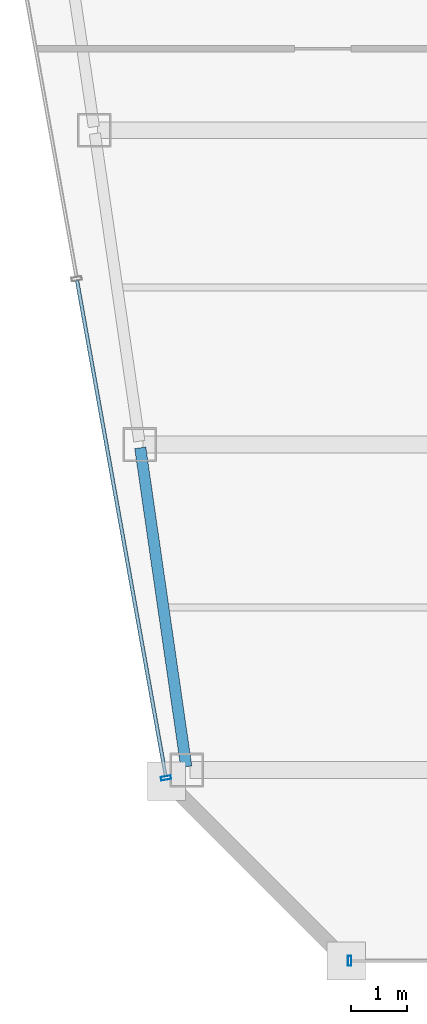
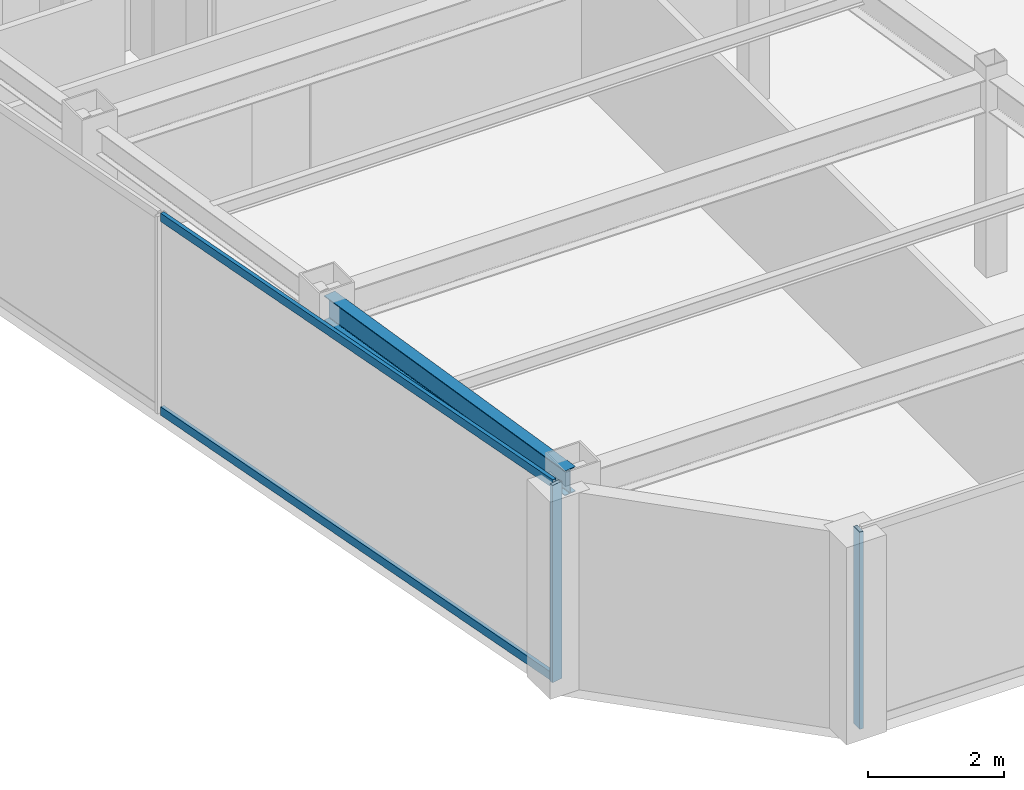
# One storey, part 3 of 32: 4 members, 1 beam, 2 elements without a shape of their own.
"""IFC4 building model written with IfcOpenShell, lengths in metres."""

from ifc_helpers import new_model, si_unit, direction, frame, origin, origin_2d, place, context, subcontext, project, spatial, hollow_rectangle, i_section, extrude, material, material_profile, profile_set, type_object, element, aggregate, save


model = new_model("IFC4")

# Units and contexts
model_context = context("Model", 3, precision=1e-05, world=origin(), true_north=direction((0.0, 1.0)))
body_context = subcontext(model_context, "Body", "Model", "MODEL_VIEW")
ifc_project = project(units=[si_unit("LENGTHUNIT", "METRE"), si_unit("AREAUNIT", "SQUARE_METRE"), si_unit("VOLUMEUNIT", "CUBIC_METRE"), si_unit("PLANEANGLEUNIT", "RADIAN"), si_unit("MASSUNIT", "GRAM", prefix="KILO")], contexts=[model_context])

# Site, building, storey
site_placement = place(None, origin())
site = spatial("IfcSite", under=ifc_project, at=site_placement, CompositionType="ELEMENT")
building_placement = place(site_placement, origin())
building = spatial("IfcBuilding", under=site, at=building_placement, Name="Saevonmaru Cultural Tower", CompositionType="ELEMENT")
storey_placement = place(building_placement, frame((0.0, 0.0, 261.0)))
storey = spatial("IfcBuildingStorey", under=building, at=storey_placement, Name="L61", CompositionType="ELEMENT", Elevation=261.0)

# Beam
ifc_material_1 = material(Name="Steel SM355", Category="steel")
ifc_material_profile_1 = material_profile(ifc_material_1, i_section(OverallWidth=0.199951171875, OverallDepth=0.449951171875, WebThickness=0.009033203125, FlangeThickness=0.013916015625, FilletRadius=0.01806640625, at=origin_2d()), Name="H-450x200x9x14")
ifc_profile_set_1 = profile_set([ifc_material_profile_1], Name="Steel SM355")
beam_type = type_object("IfcBeamType", Name="BM-SP-H450", PredefinedType="SPANDREL", material=ifc_profile_set_1)
beam_placement = place(storey_placement, frame((9.1455078125, 26.259521484375, 3.324951171875), z_axis=(-0.142826510921, 0.989747739466, 0.0), x_axis=(-0.989747739466, -0.142826510921, 0.0)))
element("IfcBeam", 1, at=beam_placement, inside=storey, type_object=beam_type, Name="L61 West Splayed Spandrel 1", PredefinedType="SPANDREL", context=body_context, shape_type="SweptSolid", body=[
    extrude(i_section(OverallWidth=0.199951171875, OverallDepth=0.449951171875, WebThickness=0.009033203125, FlangeThickness=0.013916015625, FilletRadius=0.01806640625, at=origin_2d()), origin(), (0.0, 0.0, 1.0), 5.739990234375),
])

# Curtain wall, member
ifc_material_2 = material(Name="Satin Bronze Anodised Aluminium", Category="aluminium")
curtain_wall_type = type_object("IfcCurtainWallType", Name="CW-TYP-B", PredefinedType="NOTDEFINED", material=ifc_material_2)
curtain_wall_1_placement = place(storey_placement, origin())
curtain_wall_1 = element("IfcCurtainWall", 2, at=curtain_wall_1_placement, inside=storey, type_object=curtain_wall_type, Name="L61 Unitised Curtain Wall E2", PredefinedType="NOTDEFINED")
ifc_material_profile_2 = material_profile(ifc_material_2, hollow_rectangle(XDim=0.06494140625, YDim=0.179931640625, WallThickness=0.00390625, at=origin_2d()), Name="ALU-MULL-180x65x4")
ifc_profile_set_2 = profile_set([ifc_material_profile_2], Name="Satin Bronze Anodised Aluminium")
member_type_1 = type_object("IfcMemberType", Name="ML-CW-180x65", PredefinedType="MULLION", material=ifc_profile_set_2)
member_1_placement = place(storey_placement, frame((12.0556640625, 22.800048828125, 0.0), z_axis=(0.0, 0.0, 1.0), x_axis=(1.0, 0.0, 0.0)))
member_1 = element("IfcMember", 3, at=member_1_placement, type_object=member_type_1, Name="CW-TW-L61-E2 mullion 1", PredefinedType="MULLION", context=body_context, shape_type="SweptSolid", body=[
    extrude(hollow_rectangle(XDim=0.06494140625, YDim=0.179931640625, WallThickness=0.00390625, at=origin_2d()), origin(), (0.0, 0.0, 1.0), 3.550048828125),
])
aggregate(curtain_wall_1, [member_1])

# Curtain wall, members
curtain_wall_2_placement = place(storey_placement, origin())
curtain_wall_2 = element("IfcCurtainWall", 4, at=curtain_wall_2_placement, inside=storey, type_object=curtain_wall_type, Name="L61 Unitised Curtain Wall E12", PredefinedType="NOTDEFINED")
member_2_placement = place(storey_placement, frame((8.784912109375, 26.05908203125, 0.0), z_axis=(0.0, 0.0, 1.0), x_axis=(0.176140740755, -0.984364993001, 0.0)))
member_2 = element("IfcMember", 5, at=member_2_placement, type_object=member_type_1, Name="CW-TW-L61-E12 mullion 4", PredefinedType="MULLION", context=body_context, shape_type="SweptSolid", body=[
    extrude(hollow_rectangle(XDim=0.06494140625, YDim=0.179931640625, WallThickness=0.00390625, at=origin_2d()), origin(), (0.0, 0.0, 1.0), 3.550048828125),
])
ifc_material_profile_3 = material_profile(ifc_material_2, hollow_rectangle(XDim=0.06494140625, YDim=0.14990234375, WallThickness=0.00390625, at=origin_2d()), Name="ALU-TRAN-150x65x4")
ifc_profile_set_3 = profile_set([ifc_material_profile_3], Name="Satin Bronze Anodised Aluminium")
member_type_2 = type_object("IfcMemberType", Name="TR-CW-150x65", PredefinedType="USERDEFINED", material=ifc_profile_set_3)
member_3_placement = place(storey_placement, frame((7.19921875, 34.921142578125, 0.032470703125), z_axis=(0.176144810911, -0.984364264685, 0.0), x_axis=(0.984364264685, 0.176144810911, 0.0)))
member_3 = element("IfcMember", 6, at=member_3_placement, type_object=member_type_2, Name="CW-TW-L61-E12 transom 3.1", ObjectType="TRANSOM", PredefinedType="USERDEFINED", context=body_context, shape_type="SweptSolid", body=[
    extrude(hollow_rectangle(XDim=0.06494140625, YDim=0.14990234375, WallThickness=0.00390625, at=origin_2d()), origin(), (0.0, 0.0, 1.0), 8.97021484375),
])
member_4_placement = place(storey_placement, frame((7.19921875, 34.921142578125, 3.517578125), z_axis=(0.176144810911, -0.984364264685, 0.0), x_axis=(0.984364264685, 0.176144810911, 0.0)))
member_4 = element("IfcMember", 7, at=member_4_placement, type_object=member_type_2, Name="CW-TW-L61-E12 transom 3.2", ObjectType="TRANSOM", PredefinedType="USERDEFINED", context=body_context, shape_type="SweptSolid", body=[
    extrude(hollow_rectangle(XDim=0.06494140625, YDim=0.14990234375, WallThickness=0.00390625, at=origin_2d()), origin(), (0.0, 0.0, 1.0), 8.97021484375),
])
aggregate(curtain_wall_2, [member_2, member_3, member_4])

save(model, "model.ifc")
